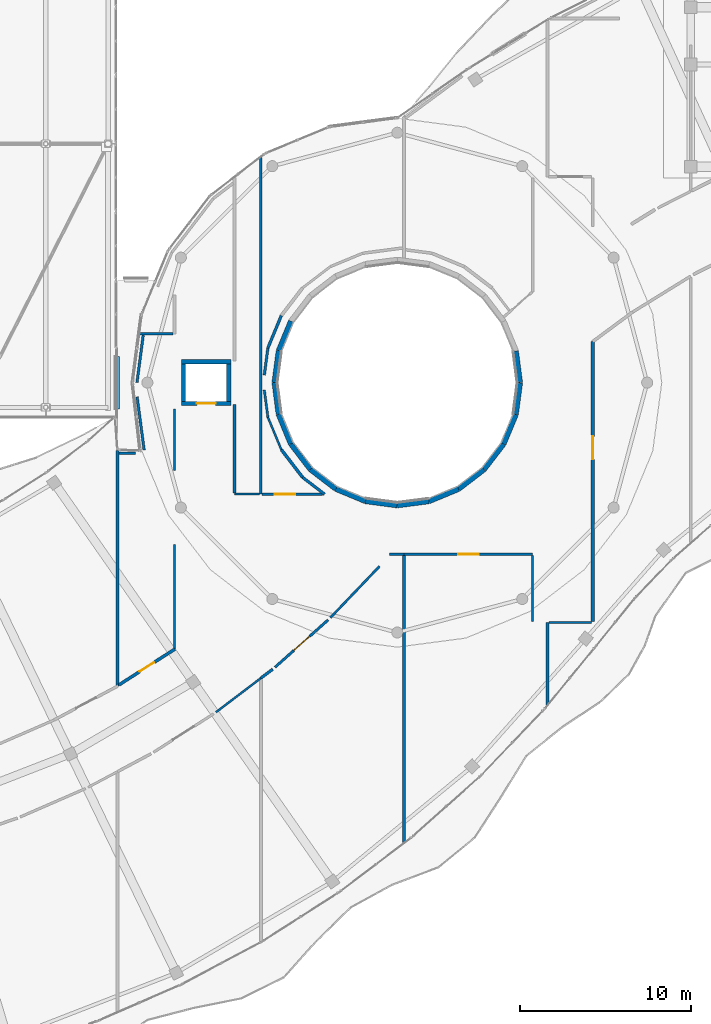
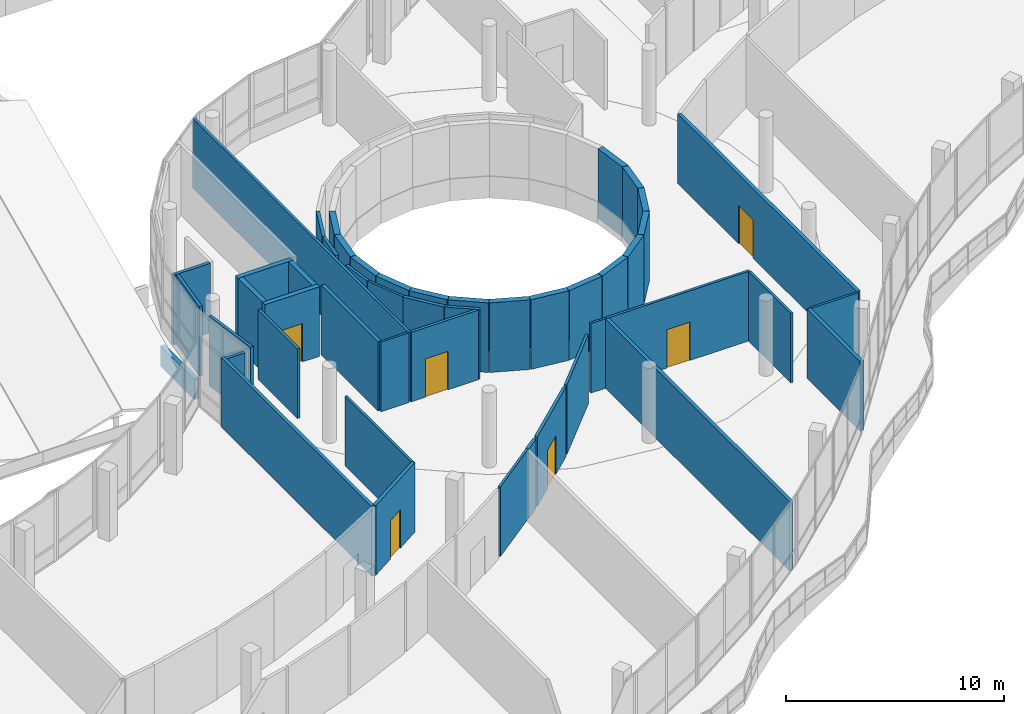
# One storey, part 162 of 184: 49 walls, 6 doors, 6 openings.
"""IFC4 building model written with IfcOpenShell, lengths in metres."""

import ifcopenshell
import ifcopenshell.guid

model = None  # the IFC model being written
_history = None  # IfcOwnerHistory: only IFC2X3 demands one
_inside = {}  # id of a spatial element -> (the spatial element, [elements in it])
_under = {}  # id of a project, library or spatial element -> (it, [spatial elements below it])
_declared = {}  # id of a project -> (the project, [libraries it declares])
_typed = {}  # id of a type object -> (the type object, [elements of that type])
_made_of = {}  # id of a material, layer set ... -> (it, [elements and type objects made of it])


def new_model(schema):
    """Start an empty IFC model of exactly this schema.

    Asked for "IFC4X3", IfcOpenShell would pick the latest addendum, in which some entities
    have other attributes; the version numbers below select the first issue.
    IFC2X3 requires an IfcOwnerHistory on every rooted entity: one is made here for all.
    """
    global model, _history
    if schema == "IFC4X3":
        model = ifcopenshell.file(schema_version=(4, 3, 0, 0))
    else:
        model = ifcopenshell.file(schema=schema)
    _inside.clear()
    _under.clear()
    _declared.clear()
    _typed.clear()
    _made_of.clear()
    _history = None
    if model.schema == "IFC2X3":
        org = make("IfcOrganization", Name="unknown")
        user = make(
            "IfcPersonAndOrganization",
            ThePerson=make("IfcPerson", FamilyName="unknown"),
            TheOrganization=org,
        )
        app = make(
            "IfcApplication",
            ApplicationDeveloper=org,
            Version="unknown",
            ApplicationFullName="unknown",
            ApplicationIdentifier="unknown",
        )
        _history = make(
            "IfcOwnerHistory",
            OwningUser=user,
            OwningApplication=app,
            ChangeAction="ADDED",
            CreationDate=0,
        )
    return model


def make(cls, **values):
    """One entity of the class cls with the attributes given. An attribute that is None is left unset."""
    return model.create_entity(
        cls, **{name: value for name, value in values.items() if value is not None}
    )


def rooted(cls, **values):
    """An entity with a GlobalId (a new one), such as an element, a storey or a relation."""
    return make(cls, GlobalId=ifcopenshell.guid.new(), OwnerHistory=_history, **values)


def si_unit(unit_type, name, prefix=None):
    """IfcSIUnit, for example si_unit("LENGTHUNIT", "METRE", prefix="MILLI")."""
    return make("IfcSIUnit", UnitType=unit_type, Prefix=prefix, Name=name)


def assignment(units):
    """IfcUnitAssignment: the units of a project."""
    return None if units is None else make("IfcUnitAssignment", Units=units)


def point(xyz):
    """IfcCartesianPoint."""
    return None if xyz is None else make("IfcCartesianPoint", Coordinates=xyz)


def direction(xyz):
    """IfcDirection."""
    return None if xyz is None else make("IfcDirection", DirectionRatios=xyz)


def frame(location, z_axis=None, x_axis=None):
    """IfcAxis2Placement3D, a coordinate frame: its origin and axes. An axis left out is left unset."""
    return make(
        "IfcAxis2Placement3D",
        Location=point(location),
        Axis=direction(z_axis),
        RefDirection=direction(x_axis),
    )


def frame_2d(location, x_axis=None):
    """IfcAxis2Placement2D, a coordinate frame in the plane: its origin and x axis."""
    return make(
        "IfcAxis2Placement2D", Location=point(location), RefDirection=direction(x_axis)
    )


def origin():
    """The frame at (0, 0, 0) with its axes left unset."""
    return frame((0.0, 0.0, 0.0))


def place(relative_to, where):
    """IfcLocalPlacement: puts the frame where relative to a parent placement (None: the world)."""
    return make(
        "IfcLocalPlacement", PlacementRelTo=relative_to, RelativePlacement=where
    )


def context(
    kind, dimensions, precision=None, world=None, true_north=None, identifier=None
):
    """IfcGeometricRepresentationContext, for example the 3D "Model" context."""
    return make(
        "IfcGeometricRepresentationContext",
        ContextIdentifier=identifier,
        ContextType=kind,
        CoordinateSpaceDimension=dimensions,
        Precision=precision,
        WorldCoordinateSystem=world,
        TrueNorth=true_north,
    )


def subcontext(parent, identifier, kind, view, scale=None):
    """IfcGeometricRepresentationSubContext, for example "Body" below "Model"."""
    return make(
        "IfcGeometricRepresentationSubContext",
        ContextIdentifier=identifier,
        ContextType=kind,
        ParentContext=parent,
        TargetScale=scale,
        TargetView=view,
    )


def project(units=None, contexts=None):
    """IfcProject with its units and contexts."""
    return rooted(
        "IfcProject",
        Name="project",
        RepresentationContexts=contexts,
        UnitsInContext=assignment(units),
    )


def spatial(cls, under=None, at=None, **own):
    """A site, building, storey or space (cls), placed at a placement, below another one or the project."""
    s = rooted(cls, ObjectPlacement=at, **own)
    if under is not None:
        _under.setdefault(under.id(), (under, []))[1].append(s)
    return s


def profile(cls, at=None, kind="AREA", **sizes):
    """A parametric profile (cls). Its sizes go by their IFC names, for example OverallWidth=200.0."""
    return make(cls, ProfileType=kind, Position=at, **sizes)


def rectangle(**sizes):
    """IfcRectangleProfileDef."""
    return profile("IfcRectangleProfileDef", **sizes)


def extrude(swept, where, along, depth):
    """IfcExtrudedAreaSolid: the profile swept, set in the frame where, extruded along a direction by depth."""
    return make(
        "IfcExtrudedAreaSolid",
        SweptArea=swept,
        Position=where,
        ExtrudedDirection=direction(along),
        Depth=depth,
    )


def shape(context_of_items, identifier, shape_type, items):
    """IfcShapeRepresentation: the items that make up one representation, for example the "Body"."""
    return make(
        "IfcShapeRepresentation",
        ContextOfItems=context_of_items,
        RepresentationIdentifier=identifier,
        RepresentationType=shape_type,
        Items=items,
    )


def material(Name=None, Category=None):
    """IfcMaterial."""
    return make("IfcMaterial", Name=Name, Category=Category)


def layer(
    of_material, thickness, ventilated=None, Name=None, Category=None, Priority=None
):
    """IfcMaterialLayer: one layer of a wall or slab, of a material (None: an air gap)."""
    return make(
        "IfcMaterialLayer",
        Material=of_material,
        LayerThickness=thickness,
        IsVentilated=ventilated,
        Name=Name,
        Category=Category,
        Priority=Priority,
    )


def layer_set(layers, Name=None):
    """IfcMaterialLayerSet."""
    return make("IfcMaterialLayerSet", MaterialLayers=layers, LayerSetName=Name)


def made_of(thing, what):
    """Note that an element or type object is made of a material, layer set ...; save() writes the relation."""
    if what is not None:
        _made_of.setdefault(what.id(), (what, []))[1].append(thing)
    return thing


def type_object(cls, material=None, **own):
    """A type object (cls), such as IfcWallType, which elements share."""
    return made_of(rooted(cls, **own), material)


def element(
    cls,
    number,
    at=None,
    inside=None,
    cuts=None,
    type_object=None,
    material=None,
    context=None,
    identifier="Body",
    shape_type=None,
    held_by="IfcProductDefinitionShape",
    body=None,
    shapes=None,
    **own,
):
    """One element of the class cls, such as IfcWall. Its Tag is "e" and its number.

    at: its placement. inside: the storey or other place that contains it. cuts: it is an
    opening in that element (IfcRelVoidsElement). A single representation is given by context,
    identifier, shape_type and body (its items); several are given by shapes. held_by: the class
    of the entity that holds the representations. save() writes the other relations.
    """
    e = rooted(cls, Tag="e%d" % number, ObjectPlacement=at, **own)
    if body is not None:
        shapes = [shape(context, identifier, shape_type, body)]
    if shapes is not None:
        e.Representation = make(held_by, Representations=shapes)
    if inside is not None:
        _inside.setdefault(inside.id(), (inside, []))[1].append(e)
    if cuts is not None:
        rooted(
            "IfcRelVoidsElement", RelatingBuildingElement=cuts, RelatedOpeningElement=e
        )
    if type_object is not None:
        _typed.setdefault(type_object.id(), (type_object, []))[1].append(e)
    return made_of(e, material)


def fill(opening, filler):
    """IfcRelFillsElement: the door or window that sits in an opening."""
    return rooted(
        "IfcRelFillsElement",
        RelatingOpeningElement=opening,
        RelatedBuildingElement=filler,
    )


def aggregate(whole, parts):
    """IfcRelAggregates: a whole, such as a stair, and the parts it consists of."""
    return rooted("IfcRelAggregates", RelatingObject=whole, RelatedObjects=parts)


def save(model, path):
    """Write the relations noted so far, then the file.

    IfcRelAggregates (storeys below a building ...), IfcRelContainedInSpatialStructure (elements
    in a storey), IfcRelDefinesByType, IfcRelAssociatesMaterial and IfcRelDeclares: one each for
    every whole, place, type object, material and project.
    """
    for whole, parts in _under.values():
        aggregate(whole, parts)
    for where, things in _inside.values():
        rooted(
            "IfcRelContainedInSpatialStructure",
            RelatedElements=things,
            RelatingStructure=where,
        )
    for kind, things in _typed.values():
        rooted("IfcRelDefinesByType", RelatedObjects=things, RelatingType=kind)
    for what, things in _made_of.values():
        rooted("IfcRelAssociatesMaterial", RelatedObjects=things, RelatingMaterial=what)
    for by, libraries in _declared.values():
        rooted("IfcRelDeclares", RelatingContext=by, RelatedDefinitions=libraries)
    model.write(path)


model = new_model("IFC4")

# Units and contexts
model_context = context("Model", 3, precision=1e-05, world=origin(), true_north=direction((0.0, 1.0)))
body_context = subcontext(model_context, "Body", "Model", "MODEL_VIEW")
ifc_project = project(units=[si_unit("LENGTHUNIT", "METRE"), si_unit("AREAUNIT", "SQUARE_METRE"), si_unit("VOLUMEUNIT", "CUBIC_METRE"), si_unit("PLANEANGLEUNIT", "RADIAN"), si_unit("MASSUNIT", "GRAM", prefix="KILO")], contexts=[model_context])

# Site, building, storey
site_placement = place(None, origin())
site = spatial("IfcSite", under=ifc_project, at=site_placement, CompositionType="ELEMENT")
building_placement = place(site_placement, origin())
building = spatial("IfcBuilding", under=site, at=building_placement, Name="Selatvlak General Hospital", CompositionType="ELEMENT")
storey_placement = place(building_placement, frame((0.0, 0.0, 15.0)))
storey = spatial("IfcBuildingStorey", under=building, at=storey_placement, Name="L03", CompositionType="ELEMENT", Elevation=15.0)

# Walls
ifc_material_1 = material(Name="Precast concrete C40/50 - white fair-faced", Category="concrete")
ifc_layer_1 = layer(ifc_material_1, 0.300048828125, Name="Precast concrete C40/50 - white fair-faced", Category="concrete")
ifc_layer_set_1 = layer_set([ifc_layer_1], Name="Precast concrete C40/50 - white fair-faced")
wall_type_1 = type_object("IfcWallType", Name="WALL-EW-01", PredefinedType="SOLIDWALL", material=ifc_layer_set_1)
wall_1_placement = place(storey_placement, frame((91.77001953125, 57.60595703125, 0.0), z_axis=(0.0, 0.0, 1.0), x_axis=(-0.384006709406, -0.923330302292, 0.0)))
element("IfcWall", 1, at=wall_1_placement, inside=storey, type_object=wall_type_1, Name="L03 exterior wall 0408", PredefinedType="SOLIDWALL", context=body_context, shape_type="SweptSolid", body=[
    extrude(rectangle(XDim=1.8798828125, YDim=0.300048828125, at=frame_2d((0.93994140625, 0.0))), origin(), (0.0, 0.0, 1.0), 3.89501953125),
])
wall_2_placement = place(storey_placement, frame((91.048095703125, 55.8701171875, 0.0), z_axis=(0.0, 0.0, 1.0), x_axis=(-0.131533688416, -0.991311701137, 0.0)))
element("IfcWall", 2, at=wall_2_placement, inside=storey, type_object=wall_type_1, Name="L03 exterior wall 0409", PredefinedType="SOLIDWALL", context=body_context, shape_type="SweptSolid", body=[
    extrude(rectangle(XDim=1.87841796875, YDim=0.300048828125, at=frame_2d((0.939208984375, 0.0))), origin(), (0.0, 0.0, 1.0), 3.89501953125),
])
wall_3_placement = place(storey_placement, frame((90.801025390625, 54.008056640625, 0.0), z_axis=(0.0, 0.0, 1.0), x_axis=(0.129294741965, -0.991606206969, 0.0)))
element("IfcWall", 3, at=wall_3_placement, inside=storey, type_object=wall_type_1, Name="L03 exterior wall 0410", PredefinedType="SOLIDWALL", context=body_context, shape_type="SweptSolid", body=[
    extrude(rectangle(XDim=1.87890625, YDim=0.300048828125, at=frame_2d((0.939453125, 0.0))), origin(), (0.0, 0.0, 1.0), 3.89501953125),
])
wall_4_placement = place(storey_placement, frame((91.0439453125, 52.14501953125, 0.0), z_axis=(0.0, 0.0, 1.0), x_axis=(0.381820428435, -0.924236528401, 0.0)))
element("IfcWall", 4, at=wall_4_placement, inside=storey, type_object=wall_type_1, Name="L03 exterior wall 0411", PredefinedType="SOLIDWALL", context=body_context, shape_type="SweptSolid", body=[
    extrude(rectangle(XDim=1.880615234375, YDim=0.300048828125, at=frame_2d((0.9404296875, 0.0))), origin(), (0.0, 0.0, 1.0), 3.89501953125),
])
wall_5_placement = place(storey_placement, frame((91.761962890625, 50.406982421875, 0.0), z_axis=(0.0, 0.0, 1.0), x_axis=(0.607850341861, -0.79405161161, 0.0)))
element("IfcWall", 5, at=wall_5_placement, inside=storey, type_object=wall_type_1, Name="L03 exterior wall 0412", PredefinedType="SOLIDWALL", context=body_context, shape_type="SweptSolid", body=[
    extrude(rectangle(XDim=1.87890625, YDim=0.300048828125, at=frame_2d((0.939453125, 0.0))), origin(), (0.0, 0.0, 1.0), 3.89501953125),
])
wall_6_placement = place(storey_placement, frame((92.904052734375, 48.9150390625, 0.0), z_axis=(0.0, 0.0, 1.0), x_axis=(0.792913688324, -0.609333966613, 0.0)))
element("IfcWall", 6, at=wall_6_placement, inside=storey, type_object=wall_type_1, Name="L03 exterior wall 0413", PredefinedType="SOLIDWALL", context=body_context, shape_type="SweptSolid", body=[
    extrude(rectangle(XDim=1.879150390625, YDim=0.300048828125, at=frame_2d((0.939453125, 0.0))), origin(), (0.0, 0.0, 1.0), 3.89501953125),
])
wall_7_placement = place(storey_placement, frame((94.39404296875, 47.77001953125, 0.0), z_axis=(0.0, 0.0, 1.0), x_axis=(0.923330302292, -0.384006709406, 0.0)))
element("IfcWall", 7, at=wall_7_placement, inside=storey, type_object=wall_type_1, Name="L03 exterior wall 0414", PredefinedType="SOLIDWALL", context=body_context, shape_type="SweptSolid", body=[
    extrude(rectangle(XDim=1.8798828125, YDim=0.300048828125, at=frame_2d((0.93994140625, 0.0))), origin(), (0.0, 0.0, 1.0), 3.89501953125),
])
wall_8_placement = place(storey_placement, frame((96.1298828125, 47.048095703125, 0.0), z_axis=(0.0, 0.0, 1.0), x_axis=(0.991311701137, -0.131533688416, 0.0)))
element("IfcWall", 8, at=wall_8_placement, inside=storey, type_object=wall_type_1, Name="L03 exterior wall 0415", PredefinedType="SOLIDWALL", context=body_context, shape_type="SweptSolid", body=[
    extrude(rectangle(XDim=1.87841796875, YDim=0.300048828125, at=frame_2d((0.939208984375, 0.0))), origin(), (0.0, 0.0, 1.0), 3.89501953125),
])
wall_9_placement = place(storey_placement, frame((97.991943359375, 46.801025390625, 0.0), z_axis=(0.0, 0.0, 1.0), x_axis=(0.991606206969, 0.129294741965, 0.0)))
element("IfcWall", 9, at=wall_9_placement, inside=storey, type_object=wall_type_1, Name="L03 exterior wall 0416", PredefinedType="SOLIDWALL", context=body_context, shape_type="SweptSolid", body=[
    extrude(rectangle(XDim=1.87890625, YDim=0.300048828125, at=frame_2d((0.939453125, 0.0))), origin(), (0.0, 0.0, 1.0), 3.89501953125),
])
wall_10_placement = place(storey_placement, frame((99.85498046875, 47.0439453125, 0.0), z_axis=(0.0, 0.0, 1.0), x_axis=(0.924236528401, 0.381820428435, 0.0)))
element("IfcWall", 10, at=wall_10_placement, inside=storey, type_object=wall_type_1, Name="L03 exterior wall 0417", PredefinedType="SOLIDWALL", context=body_context, shape_type="SweptSolid", body=[
    extrude(rectangle(XDim=1.880615234375, YDim=0.300048828125, at=frame_2d((0.9404296875, 0.0))), origin(), (0.0, 0.0, 1.0), 3.89501953125),
])
wall_11_placement = place(storey_placement, frame((101.593017578125, 47.761962890625, 0.0), z_axis=(0.0, 0.0, 1.0), x_axis=(0.79405161161, 0.607850341861, 0.0)))
element("IfcWall", 11, at=wall_11_placement, inside=storey, type_object=wall_type_1, Name="L03 exterior wall 0418", PredefinedType="SOLIDWALL", context=body_context, shape_type="SweptSolid", body=[
    extrude(rectangle(XDim=1.87890625, YDim=0.300048828125, at=frame_2d((0.939453125, 0.0))), origin(), (0.0, 0.0, 1.0), 3.89501953125),
])
wall_12_placement = place(storey_placement, frame((103.0849609375, 48.904052734375, 0.0), z_axis=(0.0, 0.0, 1.0), x_axis=(0.609333966613, 0.792913688324, 0.0)))
element("IfcWall", 12, at=wall_12_placement, inside=storey, type_object=wall_type_1, Name="L03 exterior wall 0419", PredefinedType="SOLIDWALL", context=body_context, shape_type="SweptSolid", body=[
    extrude(rectangle(XDim=1.879150390625, YDim=0.300048828125, at=frame_2d((0.939453125, 0.0))), origin(), (0.0, 0.0, 1.0), 3.89501953125),
])
wall_13_placement = place(storey_placement, frame((104.22998046875, 50.39404296875, 0.0), z_axis=(0.0, 0.0, 1.0), x_axis=(0.384006709406, 0.923330302292, 0.0)))
element("IfcWall", 13, at=wall_13_placement, inside=storey, type_object=wall_type_1, Name="L03 exterior wall 0420", PredefinedType="SOLIDWALL", context=body_context, shape_type="SweptSolid", body=[
    extrude(rectangle(XDim=1.8798828125, YDim=0.300048828125, at=frame_2d((0.93994140625, 0.0))), origin(), (0.0, 0.0, 1.0), 3.89501953125),
])
wall_14_placement = place(storey_placement, frame((104.951904296875, 52.1298828125, 0.0), z_axis=(0.0, 0.0, 1.0), x_axis=(0.131533688416, 0.991311701137, 0.0)))
element("IfcWall", 14, at=wall_14_placement, inside=storey, type_object=wall_type_1, Name="L03 exterior wall 0421", PredefinedType="SOLIDWALL", context=body_context, shape_type="SweptSolid", body=[
    extrude(rectangle(XDim=1.87841796875, YDim=0.300048828125, at=frame_2d((0.939208984375, 0.0))), origin(), (0.0, 0.0, 1.0), 3.89501953125),
])
wall_15_placement = place(storey_placement, frame((105.198974609375, 53.991943359375, 0.0), z_axis=(0.0, 0.0, 1.0), x_axis=(-0.129294741965, 0.991606206969, 0.0)))
element("IfcWall", 15, at=wall_15_placement, inside=storey, type_object=wall_type_1, Name="L03 exterior wall 0422", PredefinedType="SOLIDWALL", context=body_context, shape_type="SweptSolid", body=[
    extrude(rectangle(XDim=1.87890625, YDim=0.300048828125, at=frame_2d((0.939453125, 0.0))), origin(), (0.0, 0.0, 1.0), 3.89501953125),
])
ifc_layer_2 = layer(ifc_material_1, 0.219970703125, Name="Precast concrete C40/50 - white fair-faced", Category="concrete")
ifc_layer_set_2 = layer_set([ifc_layer_2], Name="Precast concrete C40/50 - white fair-faced")
wall_type_2 = type_object("IfcWallType", Name="WALL-PR-02", PredefinedType="PARAPET", material=ifc_layer_set_2)
wall_16_placement = place(storey_placement, frame((81.60693359375, 52.449951171875, 0.050048828125), z_axis=(0.0, 0.0, 1.0), x_axis=(-0.000315731297, 0.999999950157, 0.0)))
element("IfcWall", 16, at=wall_16_placement, inside=storey, type_object=wall_type_2, Name="L03 roof parapet upstand PAR-L03-032", PredefinedType="PARAPET", context=body_context, shape_type="SweptSolid", body=[
    extrude(rectangle(XDim=3.093017578125, YDim=0.219970703125, at=frame_2d((1.54638671875, 0.0))), origin(), (0.0, 0.0, 1.0), 1.14990234375),
])
ifc_material_2 = material(Name="Acoustic gypsum stud partition")
ifc_layer_3 = layer(ifc_material_2, 0.179931640625, Name="Acoustic gypsum stud partition")
ifc_layer_set_3 = layer_set([ifc_layer_3], Name="Acoustic gypsum stud partition")
wall_type_3 = type_object("IfcWallType", Name="WALL-PT-01", PredefinedType="PARTITIONING", material=ifc_layer_set_3)
wall_17_placement = place(storey_placement, frame((88.4599609375, 47.51611328125, 0.0), z_axis=(0.0, 0.0, 1.0), x_axis=(0.0, 1.0, 0.0)))
element("IfcWall", 17, at=wall_17_placement, inside=storey, type_object=wall_type_3, Name="L03 clinical partition PT-L03-1440", PredefinedType="PARTITIONING", context=body_context, shape_type="SweptSolid", body=[
    extrude(rectangle(XDim=5.203857421875, YDim=0.179931640625, at=frame_2d((2.60205078125, 0.0))), origin(), (0.0, 0.0, 1.0), 3.89501953125),
])

# Wall, opening, door
wall_18_placement = place(storey_placement, frame((84.969970703125, 38.383056640625, 0.0), z_axis=(0.0, 0.0, 1.0), x_axis=(-0.842236233033, -0.539108641895, 0.0)))
wall_18 = element("IfcWall", 18, at=wall_18_placement, inside=storey, type_object=wall_type_3, Name="L03 clinical partition PT-L03-1450", PredefinedType="PARTITIONING", context=body_context, shape_type="SweptSolid", body=[
    extrude(rectangle(XDim=3.90869140625, YDim=0.179931640625, at=frame_2d((1.954345703125, 0.0))), origin(), (0.0, 0.0, 1.0), 3.89501953125),
])
opening_1_placement = place(wall_18_placement, frame((1.4541015625, 0.0, 0.0)))
opening_1 = element("IfcOpeningElement", 19, at=opening_1_placement, cuts=wall_18, Name="Opening D-21", PredefinedType="OPENING", context=body_context, shape_type="SweptSolid", body=[
    extrude(rectangle(XDim=1.0, YDim=2.14990234375, at=frame_2d((0.5, 1.074951171875))), frame((0.0, 0.099853515625, 0.0), z_axis=(0.0, -1.0, 0.0), x_axis=(1.0, 0.0, 0.0)), (0.0, 0.0, 1.0), 0.199951171875),
])
ifc_material_3 = material(Name="Laboratory fire door")
door_type_1 = type_object("IfcDoorType", Name="DOOR-D-21", OperationType="NOTDEFINED", PredefinedType="DOOR", material=ifc_material_3)
door_1_placement = place(opening_1_placement, origin())
door_1 = element("IfcDoor", 20, at=door_1_placement, inside=storey, type_object=door_type_1, Name="L03 Day Oncology Chemotherapy Lounge 13 door", OperationType="SINGLE_SWING_RIGHT", OverallHeight=2.14990234375, OverallWidth=1.0, PredefinedType="DOOR", context=body_context, shape_type="SweptSolid", body=[
    extrude(rectangle(XDim=1.0, YDim=2.14990234375, at=frame_2d((0.5, 1.074951171875))), frame((0.0, 0.02490234375, 0.0), z_axis=(0.0, -1.0, 0.0), x_axis=(1.0, 0.0, 0.0)), (0.0, 0.0, 1.0), 0.050048828125),
])
fill(opening_1, door_1)

# Walls
wall_19_placement = place(storey_placement, frame((98.39990234375, 43.884033203125, 0.0), z_axis=(0.0, 0.0, 1.0), x_axis=(0.0, -1.0, 0.0)))
element("IfcWall", 21, at=wall_19_placement, inside=storey, type_object=wall_type_3, Name="L03 clinical partition PT-L03-1455", PredefinedType="PARTITIONING", context=body_context, shape_type="SweptSolid", body=[
    extrude(rectangle(XDim=16.862060546875, YDim=0.179931640625, at=frame_2d((8.43115234375, 0.0))), origin(), (0.0, 0.0, 1.0), 3.89501953125),
])
wall_20_placement = place(storey_placement, frame((91.201904296875, 50.074951171875, 0.0), z_axis=(0.0, 0.0, 1.0), x_axis=(0.608581607729, -0.793491289639, 0.0)))
element("IfcWall", 22, at=wall_20_placement, inside=storey, type_object=wall_type_3, Name="L03 clinical partition PT-L03-1465", PredefinedType="PARTITIONING", context=body_context, shape_type="SweptSolid", body=[
    extrude(rectangle(XDim=2.049072265625, YDim=0.179931640625, at=frame_2d((1.0244140625, 0.0))), origin(), (0.0, 0.0, 1.0), 3.89501953125),
])
wall_21_placement = place(storey_placement, frame((106.800048828125, 39.93994140625, 0.0), z_axis=(0.0, 0.0, 1.0), x_axis=(0.0, -1.0, 0.0)))
element("IfcWall", 23, at=wall_21_placement, inside=storey, type_object=wall_type_3, Name="L03 clinical partition PT-L03-1470", PredefinedType="PARTITIONING", context=body_context, shape_type="SweptSolid", body=[
    extrude(rectangle(XDim=4.85400390625, YDim=0.179931640625, at=frame_2d((2.427001953125, 0.0))), origin(), (0.0, 0.0, 1.0), 3.89501953125),
])

# Wall, opening, door
wall_22_placement = place(storey_placement, frame((109.4599609375, 40.0, 0.0), z_axis=(0.0, 0.0, 1.0), x_axis=(0.0, 1.0, 0.0)))
wall_22 = element("IfcWall", 24, at=wall_22_placement, inside=storey, type_object=wall_type_3, Name="L03 clinical partition PT-L03-1480", PredefinedType="PARTITIONING", context=body_context, shape_type="SweptSolid", body=[
    extrude(rectangle(XDim=16.406005859375, YDim=0.179931640625, at=frame_2d((8.203125, 0.0))), origin(), (0.0, 0.0, 1.0), 3.89501953125),
])
opening_2_placement = place(wall_22_placement, frame((9.4970703125, 0.0, 0.0)))
opening_2 = element("IfcOpeningElement", 25, at=opening_2_placement, cuts=wall_22, Name="Opening D-10", PredefinedType="OPENING", context=body_context, shape_type="SweptSolid", body=[
    extrude(rectangle(XDim=1.35009765625, YDim=2.14990234375, at=frame_2d((0.675048828125, 1.074951171875))), frame((0.0, 0.099853515625, 0.0), z_axis=(0.0, -1.0, 0.0), x_axis=(1.0, 0.0, 0.0)), (0.0, 0.0, 1.0), 0.199951171875),
])
ifc_material_4 = material(Name="Single patient bed door")
door_type_2 = type_object("IfcDoorType", Name="DOOR-D-10", OperationType="NOTDEFINED", PredefinedType="DOOR", material=ifc_material_4)
door_2_placement = place(opening_2_placement, origin())
door_2 = element("IfcDoor", 26, at=door_2_placement, inside=storey, type_object=door_type_2, Name="L03 Oncology Aseptic Pharmacy 18 door", OperationType="SINGLE_SWING_LEFT", OverallHeight=2.14990234375, OverallWidth=1.35009765625, PredefinedType="DOOR", context=body_context, shape_type="SweptSolid", body=[
    extrude(rectangle(XDim=1.35009765625, YDim=2.14990234375, at=frame_2d((0.675048828125, 1.074951171875))), frame((0.0, 0.02490234375, 0.0), z_axis=(0.0, -1.0, 0.0), x_axis=(1.0, 0.0, 0.0)), (0.0, 0.0, 1.0), 0.050048828125),
])
fill(opening_2, door_2)

# Walls
ifc_layer_4 = layer(ifc_material_2, 0.1650390625, Name="Acoustic gypsum stud partition")
ifc_layer_set_4 = layer_set([ifc_layer_4], Name="Acoustic gypsum stud partition")
wall_type_4 = type_object("IfcWallType", Name="WALL-PT-02", PredefinedType="PARTITIONING", material=ifc_layer_set_4)
wall_23_placement = place(storey_placement, frame((81.60009765625, 50.02001953125, 0.0), z_axis=(0.0, 0.0, 1.0), x_axis=(0.0, -1.0, 0.0)))
element("IfcWall", 27, at=wall_23_placement, inside=storey, type_object=wall_type_4, Name="L03 clinical partition PT-L03-1426", PredefinedType="PARTITIONING", context=body_context, shape_type="SweptSolid", body=[
    extrude(rectangle(XDim=13.7939453125, YDim=0.1650390625, at=frame_2d((6.89697265625, 0.0))), origin(), (0.0, 0.0, 1.0), 3.89501953125),
])
wall_24_placement = place(storey_placement, frame((81.677978515625, 49.860107421875, 0.0), z_axis=(0.0, 0.0, 1.0), x_axis=(1.0, 0.0, 0.0)))
element("IfcWall", 28, at=wall_24_placement, inside=storey, type_object=wall_type_4, Name="L03 clinical partition PT-L03-1436", PredefinedType="PARTITIONING", context=body_context, shape_type="SweptSolid", body=[
    extrude(rectangle(XDim=0.965087890625, YDim=0.1650390625, at=frame_2d((0.482421875, 0.0))), origin(), (0.0, 0.0, 1.0), 3.89501953125),
])
wall_25_placement = place(storey_placement, frame((84.85400390625, 56.860107421875, 0.0), z_axis=(0.0, 0.0, 1.0), x_axis=(-1.0, 0.0, 0.0)))
element("IfcWall", 29, at=wall_25_placement, inside=storey, type_object=wall_type_4, Name="L03 clinical partition PT-L03-1446", PredefinedType="PARTITIONING", context=body_context, shape_type="SweptSolid", body=[
    extrude(rectangle(XDim=1.966064453125, YDim=0.1650390625, at=frame_2d((0.98291015625, 0.0))), origin(), (0.0, 0.0, 1.0), 3.89501953125),
])
wall_26_placement = place(storey_placement, frame((90.0, 36.674072265625, 0.0), z_axis=(0.0, 0.0, 1.0), x_axis=(0.796962746225, 0.60402846053, 0.0)))
element("IfcWall", 30, at=wall_26_placement, inside=storey, type_object=wall_type_4, Name="L03 clinical partition PT-L03-1451", PredefinedType="PARTITIONING", context=body_context, shape_type="SweptSolid", body=[
    extrude(rectangle(XDim=0.880615234375, YDim=0.1650390625, at=frame_2d((0.4404296875, 0.0))), origin(), (0.0, 0.0, 1.0), 3.89501953125),
])
wall_27_placement = place(storey_placement, frame((91.201904296875, 57.925048828125, 0.0), z_axis=(0.0, 0.0, 1.0), x_axis=(-0.383007584532, -0.923745197655, 0.0)))
element("IfcWall", 31, at=wall_27_placement, inside=storey, type_object=wall_type_4, Name="L03 clinical partition PT-L03-1461", PredefinedType="PARTITIONING", context=body_context, shape_type="SweptSolid", body=[
    extrude(rectangle(XDim=2.04931640625, YDim=0.1650390625, at=frame_2d((1.024658203125, 0.0))), origin(), (0.0, 0.0, 1.0), 3.89501953125),
])
wall_28_placement = place(storey_placement, frame((92.448974609375, 48.448974609375, 0.0), z_axis=(0.0, 0.0, 1.0), x_axis=(0.793388644719, -0.60871541662, 0.0)))
element("IfcWall", 32, at=wall_28_placement, inside=storey, type_object=wall_type_4, Name="L03 clinical partition PT-L03-1466", PredefinedType="PARTITIONING", context=body_context, shape_type="SweptSolid", body=[
    extrude(rectangle(XDim=1.624755859375, YDim=0.1650390625, at=frame_2d((0.8125, 0.0))), origin(), (0.0, 0.0, 1.0), 3.89501953125),
])
ifc_layer_5 = layer(ifc_material_2, 0.14990234375, Name="Acoustic gypsum stud partition")
ifc_layer_set_5 = layer_set([ifc_layer_5], Name="Acoustic gypsum stud partition")
wall_type_5 = type_object("IfcWallType", Name="WALL-PT-03", PredefinedType="PARTITIONING", material=ifc_layer_set_5)
wall_29_placement = place(storey_placement, frame((83.162109375, 50.047119140625, 0.0), z_axis=(0.0, 0.0, 1.0), x_axis=(-0.130954194587, 0.991388419803, 0.0)))
element("IfcWall", 33, at=wall_29_placement, inside=storey, type_object=wall_type_5, Name="L03 clinical partition PT-L03-1437", PredefinedType="PARTITIONING", context=body_context, shape_type="SweptSolid", body=[
    extrude(rectangle(XDim=3.14697265625, YDim=0.14990234375, at=frame_2d((1.573486328125, 0.0))), origin(), (0.0, 0.0, 1.0), 3.89501953125),
])
wall_30_placement = place(storey_placement, frame((83.10888671875, 56.781982421875, 0.0), z_axis=(0.0, 0.0, 1.0), x_axis=(-0.130752347075, -0.991415061281, 0.0)))
element("IfcWall", 34, at=wall_30_placement, inside=storey, type_object=wall_type_5, Name="L03 clinical partition PT-L03-1447", PredefinedType="PARTITIONING", context=body_context, shape_type="SweptSolid", body=[
    extrude(rectangle(XDim=2.798828125, YDim=0.14990234375, at=frame_2d((1.3994140625, 0.0))), origin(), (0.0, 0.0, 1.0), 3.89501953125),
])

# Wall, opening, door
wall_31_placement = place(storey_placement, frame((90.8369140625, 37.318115234375, 0.0), z_axis=(0.0, 0.0, 1.0), x_axis=(0.746227117169, 0.66569143723, 0.0)))
wall_31 = element("IfcWall", 35, at=wall_31_placement, inside=storey, type_object=wall_type_5, Name="L03 clinical partition PT-L03-1452", PredefinedType="PARTITIONING", context=body_context, shape_type="SweptSolid", body=[
    extrude(rectangle(XDim=4.17431640625, YDim=0.14990234375, at=frame_2d((2.087158203125, 0.0))), origin(), (0.0, 0.0, 1.0), 3.89501953125),
])
opening_3_placement = place(wall_31_placement, frame((1.4619140625, 0.0, 0.0)))
opening_3 = element("IfcOpeningElement", 36, at=opening_3_placement, cuts=wall_31, Name="Opening D-08", PredefinedType="OPENING", context=body_context, shape_type="SweptSolid", body=[
    extrude(rectangle(XDim=1.25, YDim=2.14990234375, at=frame_2d((0.625, 1.074951171875))), frame((0.0, 0.0849609375, 0.0), z_axis=(0.0, -1.0, 0.0), x_axis=(1.0, 0.0, 0.0)), (0.0, 0.0, 1.0), 0.169921875),
])
ifc_material_5 = material(Name="Diagnostic treatment door")
door_type_3 = type_object("IfcDoorType", Name="DOOR-D-08", OperationType="NOTDEFINED", PredefinedType="DOOR", material=ifc_material_5)
door_3_placement = place(opening_3_placement, origin())
door_3 = element("IfcDoor", 37, at=door_3_placement, inside=storey, type_object=door_type_3, Name="L03 Renal Haemodialysis Suite 14 door", OperationType="SINGLE_SWING_LEFT", OverallHeight=2.14990234375, OverallWidth=1.25, PredefinedType="DOOR", context=body_context, shape_type="SweptSolid", body=[
    extrude(rectangle(XDim=1.25, YDim=2.14990234375, at=frame_2d((0.625, 1.074951171875))), frame((0.0, 0.02490234375, 0.0), z_axis=(0.0, -1.0, 0.0), x_axis=(1.0, 0.0, 0.0)), (0.0, 0.0, 1.0), 0.050048828125),
])
fill(opening_3, door_3)

# Wall
wall_32_placement = place(storey_placement, frame((90.4169921875, 56.031982421875, 0.0), z_axis=(0.0, 0.0, 1.0), x_axis=(-0.130591993984, -0.991436196186, 0.0)))
element("IfcWall", 38, at=wall_32_placement, inside=storey, type_object=wall_type_5, Name="L03 clinical partition PT-L03-1462", PredefinedType="PARTITIONING", context=body_context, shape_type="SweptSolid", body=[
    extrude(rectangle(XDim=1.607666015625, YDim=0.14990234375, at=frame_2d((0.8037109375, 0.0))), origin(), (0.0, 0.0, 1.0), 3.89501953125),
])

# Wall, opening, door
wall_33_placement = place(storey_placement, frame((93.60888671875, 47.4599609375, 0.0), z_axis=(0.0, 0.0, 1.0), x_axis=(-1.0, 0.0, 0.0)))
wall_33 = element("IfcWall", 39, at=wall_33_placement, inside=storey, type_object=wall_type_5, Name="L03 clinical partition PT-L03-1467", PredefinedType="PARTITIONING", context=body_context, shape_type="SweptSolid", body=[
    extrude(rectangle(XDim=3.544921875, YDim=0.14990234375, at=frame_2d((1.7724609375, 0.0))), origin(), (0.0, 0.0, 1.0), 3.89501953125),
])
opening_4_placement = place(wall_33_placement, frame((1.597900390625, 0.0, 0.0)))
opening_4 = element("IfcOpeningElement", 40, at=opening_4_placement, cuts=wall_33, Name="Opening D-23", PredefinedType="OPENING", context=body_context, shape_type="SweptSolid", body=[
    extrude(rectangle(XDim=1.199951171875, YDim=2.14990234375, at=frame_2d((0.60009765625, 1.074951171875))), frame((0.0, 0.0849609375, 0.0), z_axis=(0.0, -1.0, 0.0), x_axis=(1.0, 0.0, 0.0)), (0.0, 0.0, 1.0), 0.169921875),
])
ifc_material_6 = material(Name="Endoscopy clinical door")
door_type_4 = type_object("IfcDoorType", Name="DOOR-D-23", OperationType="NOTDEFINED", PredefinedType="DOOR", material=ifc_material_6)
door_4_placement = place(opening_4_placement, origin())
door_4 = element("IfcDoor", 41, at=door_4_placement, inside=storey, type_object=door_type_4, Name="L03 Oncology Aseptic Pharmacy 15 door", OperationType="SINGLE_SWING_RIGHT", OverallHeight=2.14990234375, OverallWidth=1.199951171875, PredefinedType="DOOR", context=body_context, shape_type="SweptSolid", body=[
    extrude(rectangle(XDim=1.199951171875, YDim=2.14990234375, at=frame_2d((0.60009765625, 1.074951171875))), frame((0.0, 0.02490234375, 0.0), z_axis=(0.0, -1.0, 0.0), x_axis=(1.0, 0.0, 0.0)), (0.0, 0.0, 1.0), 0.050048828125),
])
fill(opening_4, door_4)

# Walls
ifc_material_7 = material(Name="Moisture-resistant clinical partition")
ifc_layer_6 = layer(ifc_material_7, 0.135009765625, Name="Moisture-resistant clinical partition")
ifc_layer_set_6 = layer_set([ifc_layer_6], Name="Moisture-resistant clinical partition")
wall_type_6 = type_object("IfcWallType", Name="WALL-PT-04", PredefinedType="PARTITIONING", material=ifc_layer_set_6)
wall_34_placement = place(storey_placement, frame((90.0, 67.217041015625, 0.0), z_axis=(0.0, 0.0, 1.0), x_axis=(0.0, -1.0, 0.0)))
element("IfcWall", 42, at=wall_34_placement, inside=storey, type_object=wall_type_6, Name="L03 clinical partition PT-L03-1438", PredefinedType="PARTITIONING", context=body_context, shape_type="SweptSolid", body=[
    extrude(rectangle(XDim=19.757080078125, YDim=0.135009765625, at=frame_2d((9.87841796875, 0.0))), origin(), (0.0, 0.0, 1.0), 3.89501953125),
])
wall_35_placement = place(storey_placement, frame((84.93994140625, 52.467041015625, 0.0), z_axis=(0.0, 0.0, 1.0), x_axis=(0.0, -1.0, 0.0)))
element("IfcWall", 43, at=wall_35_placement, inside=storey, type_object=wall_type_6, Name="L03 clinical partition PT-L03-1448", PredefinedType="PARTITIONING", context=body_context, shape_type="SweptSolid", body=[
    extrude(rectangle(XDim=3.615966796875, YDim=0.135009765625, at=frame_2d((1.80810546875, 0.0))), origin(), (0.0, 0.0, 1.0), 3.89501953125),
])
wall_36_placement = place(storey_placement, frame((94.0791015625, 40.218994140625, 0.0), z_axis=(0.0, 0.0, 1.0), x_axis=(0.690956969987, 0.722895888511, 0.0)))
element("IfcWall", 44, at=wall_36_placement, inside=storey, type_object=wall_type_6, Name="L03 clinical partition PT-L03-1453", PredefinedType="PARTITIONING", context=body_context, shape_type="SweptSolid", body=[
    extrude(rectangle(XDim=4.173583984375, YDim=0.135009765625, at=frame_2d((2.0869140625, 0.0))), origin(), (0.0, 0.0, 1.0), 3.89501953125),
])
wall_37_placement = place(storey_placement, frame((90.20703125, 53.56201171875, 0.0), z_axis=(0.0, 0.0, 1.0), x_axis=(0.130591993984, -0.991436196186, 0.0)))
element("IfcWall", 45, at=wall_37_placement, inside=storey, type_object=wall_type_6, Name="L03 clinical partition PT-L03-1463", PredefinedType="PARTITIONING", context=body_context, shape_type="SweptSolid", body=[
    extrude(rectangle(XDim=1.607666015625, YDim=0.135009765625, at=frame_2d((0.8037109375, 0.0))), origin(), (0.0, 0.0, 1.0), 3.89501953125),
])

# Wall, opening, door
wall_38_placement = place(storey_placement, frame((98.39990234375, 43.93994140625, 0.0), z_axis=(0.0, 0.0, 1.0), x_axis=(1.0, 0.0, 0.0)))
wall_38 = element("IfcWall", 46, at=wall_38_placement, inside=storey, type_object=wall_type_6, Name="L03 clinical partition PT-L03-1468", PredefinedType="PARTITIONING", context=body_context, shape_type="SweptSolid", body=[
    extrude(rectangle(XDim=7.5400390625, YDim=0.135009765625, at=frame_2d((3.77001953125, 0.0))), origin(), (0.0, 0.0, 1.0), 3.89501953125),
])
opening_5_placement = place(wall_38_placement, frame((3.169921875, 0.0, 0.0)))
opening_5 = element("IfcOpeningElement", 47, at=opening_5_placement, cuts=wall_38, Name="Opening D-07", PredefinedType="OPENING", context=body_context, shape_type="SweptSolid", body=[
    extrude(rectangle(XDim=1.199951171875, YDim=2.14990234375, at=frame_2d((0.60009765625, 1.074951171875))), frame((0.0, 0.077392578125, 0.0), z_axis=(0.0, -1.0, 0.0), x_axis=(1.0, 0.0, 0.0)), (0.0, 0.0, 1.0), 0.155029296875),
])
ifc_material_8 = material(Name="Plant and store fire door")
door_type_5 = type_object("IfcDoorType", Name="DOOR-D-07", OperationType="NOTDEFINED", PredefinedType="DOOR", material=ifc_material_8)
door_5_placement = place(opening_5_placement, origin())
door_5 = element("IfcDoor", 48, at=door_5_placement, inside=storey, type_object=door_type_5, Name="L03 Day Oncology Chemotherapy Lounge 16 door", OperationType="SINGLE_SWING_LEFT", OverallHeight=2.14990234375, OverallWidth=1.199951171875, PredefinedType="DOOR", context=body_context, shape_type="SweptSolid", body=[
    extrude(rectangle(XDim=1.199951171875, YDim=2.14990234375, at=frame_2d((0.60009765625, 1.074951171875))), frame((0.0, 0.02490234375, 0.0), z_axis=(0.0, -1.0, 0.0), x_axis=(1.0, 0.0, 0.0)), (0.0, 0.0, 1.0), 0.050048828125),
])
fill(opening_5, door_5)

# Walls
ifc_layer_7 = layer(ifc_material_7, 0.1201171875, Name="Moisture-resistant clinical partition")
ifc_layer_set_7 = layer_set([ifc_layer_7], Name="Moisture-resistant clinical partition")
wall_type_7 = type_object("IfcWallType", Name="WALL-PT-05", PredefinedType="PARTITIONING", material=ifc_layer_set_7)
wall_39_placement = place(storey_placement, frame((87.376953125, 34.68310546875, 0.0), z_axis=(0.0, 0.0, 1.0), x_axis=(0.796534911727, 0.604592535846, 0.0)))
element("IfcWall", 49, at=wall_39_placement, inside=storey, type_object=wall_type_7, Name="L03 clinical partition PT-L03-1434", PredefinedType="PARTITIONING", context=body_context, shape_type="SweptSolid", body=[
    extrude(rectangle(XDim=3.29296875, YDim=0.1201171875, at=frame_2d((1.646484375, 0.0))), origin(), (0.0, 0.0, 1.0), 3.89501953125),
])
wall_40_placement = place(storey_placement, frame((89.93603515625, 47.4599609375, 0.0), z_axis=(0.0, 0.0, 1.0), x_axis=(-1.0, 0.0, 0.0)))
element("IfcWall", 50, at=wall_40_placement, inside=storey, type_object=wall_type_7, Name="L03 clinical partition PT-L03-1439", PredefinedType="PARTITIONING", context=body_context, shape_type="SweptSolid", body=[
    extrude(rectangle(XDim=1.47607421875, YDim=0.1201171875, at=frame_2d((0.738037109375, 0.0))), origin(), (0.0, 0.0, 1.0), 3.89501953125),
])
wall_41_placement = place(storey_placement, frame((84.93994140625, 44.4990234375, 0.0), z_axis=(0.0, 0.0, 1.0), x_axis=(0.0, -1.0, 0.0)))
element("IfcWall", 51, at=wall_41_placement, inside=storey, type_object=wall_type_7, Name="L03 clinical partition PT-L03-1449", PredefinedType="PARTITIONING", context=body_context, shape_type="SweptSolid", body=[
    extrude(rectangle(XDim=6.115966796875, YDim=0.1201171875, at=frame_2d((3.05810546875, 0.0))), origin(), (0.0, 0.0, 1.0), 3.89501953125),
])
wall_42_placement = place(storey_placement, frame((97.544921875, 43.93994140625, 0.0), z_axis=(0.0, 0.0, 1.0), x_axis=(1.0, 0.0, 0.0)))
element("IfcWall", 52, at=wall_42_placement, inside=storey, type_object=wall_type_7, Name="L03 clinical partition PT-L03-1454", PredefinedType="PARTITIONING", context=body_context, shape_type="SweptSolid", body=[
    extrude(rectangle(XDim=0.85498046875, YDim=0.1201171875, at=frame_2d((0.427490234375, 0.0))), origin(), (0.0, 0.0, 1.0), 3.89501953125),
])
wall_43_placement = place(storey_placement, frame((90.4169921875, 51.968017578125, 0.0), z_axis=(0.0, 0.0, 1.0), x_axis=(0.383007584532, -0.923745197655, 0.0)))
element("IfcWall", 53, at=wall_43_placement, inside=storey, type_object=wall_type_7, Name="L03 clinical partition PT-L03-1464", PredefinedType="PARTITIONING", context=body_context, shape_type="SweptSolid", body=[
    extrude(rectangle(XDim=2.04931640625, YDim=0.1201171875, at=frame_2d((1.024658203125, 0.0))), origin(), (0.0, 0.0, 1.0), 3.89501953125),
])
wall_44_placement = place(storey_placement, frame((105.93994140625, 43.876953125, 0.0), z_axis=(0.0, 0.0, 1.0), x_axis=(0.0, -1.0, 0.0)))
element("IfcWall", 54, at=wall_44_placement, inside=storey, type_object=wall_type_7, Name="L03 clinical partition PT-L03-1469", PredefinedType="PARTITIONING", context=body_context, shape_type="SweptSolid", body=[
    extrude(rectangle(XDim=3.876953125, YDim=0.1201171875, at=frame_2d((1.9384765625, 0.0))), origin(), (0.0, 0.0, 1.0), 3.89501953125),
])
wall_45_placement = place(storey_placement, frame((106.885986328125, 39.93994140625, 0.0), z_axis=(0.0, 0.0, 1.0), x_axis=(1.0, 0.0, 0.0)))
element("IfcWall", 55, at=wall_45_placement, inside=storey, type_object=wall_type_7, Name="L03 clinical partition PT-L03-1479", PredefinedType="PARTITIONING", context=body_context, shape_type="SweptSolid", body=[
    extrude(rectangle(XDim=2.513916015625, YDim=0.1201171875, at=frame_2d((1.2568359375, 0.0))), origin(), (0.0, 0.0, 1.0), 3.89501953125),
])

# Wall, opening, door
ifc_material_9 = material(Name="Concrete C40/50", Category="concrete")
ifc_layer_8 = layer(ifc_material_9, 0.25, Name="Concrete C40/50", Category="concrete")
ifc_layer_set_8 = layer_set([ifc_layer_8], Name="Concrete C40/50")
wall_type_8 = type_object("IfcWallType", Name="WALL-SW-03", PredefinedType="SHEAR", material=ifc_layer_set_8)
wall_46_placement = place(storey_placement, frame((85.35009765625, 52.77490234375, 0.0), z_axis=(0.0, 0.0, 1.0), x_axis=(1.0, 0.0, 0.0)))
wall_46 = element("IfcWall", 56, at=wall_46_placement, inside=storey, type_object=wall_type_8, Name="Lift LP-03 shaft wall L03 S", PredefinedType="SHEAR", context=body_context, shape_type="SweptSolid", body=[
    extrude(rectangle(XDim=2.89990234375, YDim=0.25, at=frame_2d((1.449951171875, 0.0))), origin(), (0.0, 0.0, 1.0), 3.89501953125),
])
opening_6_placement = place(wall_46_placement, frame((0.89990234375, 0.0, 0.0)))
opening_6 = element("IfcOpeningElement", 57, at=opening_6_placement, cuts=wall_46, Name="Opening LD-P1", PredefinedType="OPENING", context=body_context, shape_type="SweptSolid", body=[
    extrude(rectangle(XDim=1.10009765625, YDim=2.14990234375, at=frame_2d((0.550048828125, 1.074951171875))), frame((0.0, 0.135009765625, 0.0), z_axis=(0.0, -1.0, 0.0), x_axis=(1.0, 0.0, 0.0)), (0.0, 0.0, 1.0), 0.27001953125),
])
ifc_material_10 = material(Name="Stainless steel passenger lift landing door", Category="steel")
door_type_6 = type_object("IfcDoorType", Name="DOOR-LD-P1", OperationType="DOUBLE_DOOR_SLIDING", PredefinedType="DOOR", material=ifc_material_10)
door_6_placement = place(opening_6_placement, origin())
door_6 = element("IfcDoor", 58, at=door_6_placement, inside=storey, type_object=door_type_6, Name="Lift LP-03 sliding landing door on L03", OperationType="DOUBLE_DOOR_SLIDING", OverallHeight=2.14990234375, OverallWidth=1.10009765625, PredefinedType="DOOR", context=body_context, shape_type="SweptSolid", body=[
    extrude(rectangle(XDim=1.10009765625, YDim=2.14990234375, at=frame_2d((0.550048828125, 1.074951171875))), frame((0.0, 0.02490234375, 0.0), z_axis=(0.0, -1.0, 0.0), x_axis=(1.0, 0.0, 0.0)), (0.0, 0.0, 1.0), 0.050048828125),
])
fill(opening_6, door_6)

# Walls
wall_47_placement = place(storey_placement, frame((88.125, 52.89990234375, 0.0), z_axis=(0.0, 0.0, 1.0), x_axis=(0.0, 1.0, 0.0)))
element("IfcWall", 59, at=wall_47_placement, inside=storey, type_object=wall_type_8, Name="Lift LP-03 shaft wall L03 E", PredefinedType="SHEAR", context=body_context, shape_type="SweptSolid", body=[
    extrude(rectangle(XDim=2.2001953125, YDim=0.25, at=frame_2d((1.10009765625, 0.0))), origin(), (0.0, 0.0, 1.0), 3.89501953125),
])
wall_48_placement = place(storey_placement, frame((88.25, 55.22509765625, 0.0), z_axis=(0.0, 0.0, 1.0), x_axis=(-1.0, 0.0, 0.0)))
element("IfcWall", 60, at=wall_48_placement, inside=storey, type_object=wall_type_8, Name="Lift LP-03 shaft wall L03 N", PredefinedType="SHEAR", context=body_context, shape_type="SweptSolid", body=[
    extrude(rectangle(XDim=2.89990234375, YDim=0.25, at=frame_2d((1.449951171875, 0.0))), origin(), (0.0, 0.0, 1.0), 3.89501953125),
])
wall_49_placement = place(storey_placement, frame((85.47509765625, 55.10009765625, 0.0), z_axis=(0.0, 0.0, 1.0), x_axis=(0.0, -1.0, 0.0)))
element("IfcWall", 61, at=wall_49_placement, inside=storey, type_object=wall_type_8, Name="Lift LP-03 shaft wall L03 W", PredefinedType="SHEAR", context=body_context, shape_type="SweptSolid", body=[
    extrude(rectangle(XDim=2.2001953125, YDim=0.25, at=frame_2d((1.10009765625, 0.0))), origin(), (0.0, 0.0, 1.0), 3.89501953125),
])

save(model, "model.ifc")
